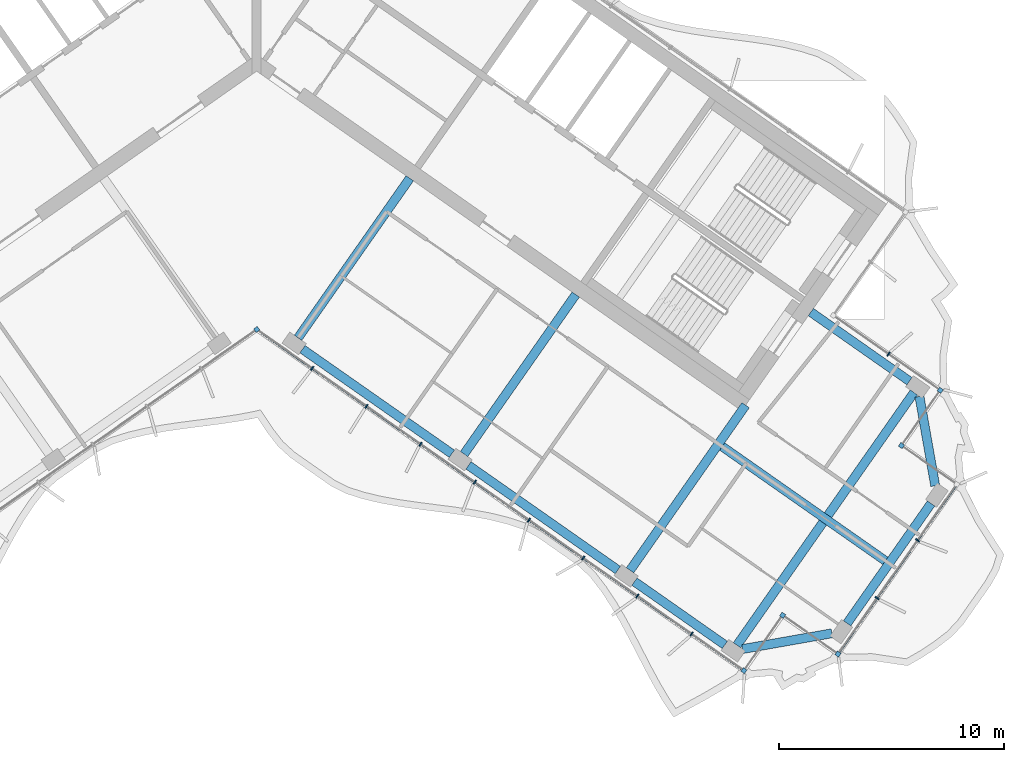
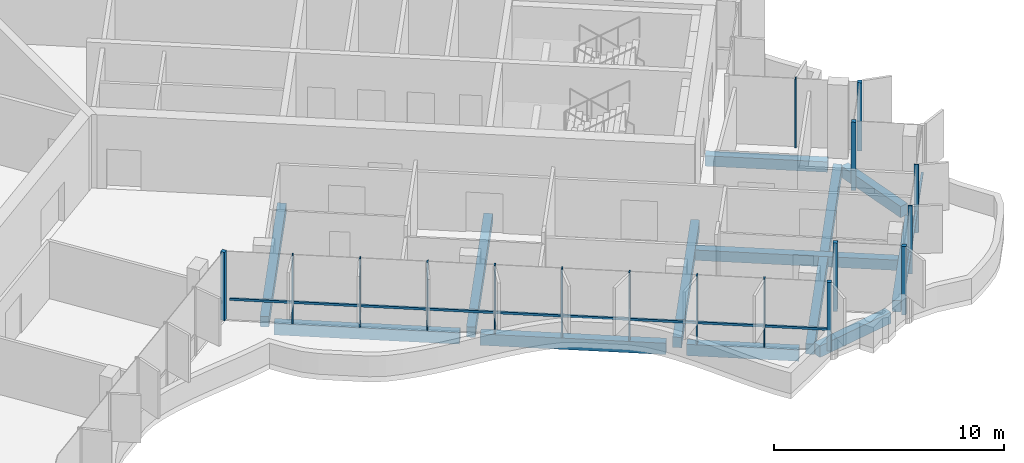
# One storey, part 4 of 18: 19 members, 12 beams, 1 element without a shape of its own.
"""IFC4 building model written with IfcOpenShell, lengths in metres."""

from ifc_helpers import new_model, si_unit, direction, frame, origin, origin_2d, place, context, subcontext, project, spatial, rectangle, extrude, material, material_profile, profile_set, type_object, element, aggregate, save


model = new_model("IFC4")

# Units and contexts
model_context = context("Model", 3, precision=1e-05, world=origin(), true_north=direction((0.0, 1.0)))
body_context = subcontext(model_context, "Body", "Model", "MODEL_VIEW")
ifc_project = project(units=[si_unit("LENGTHUNIT", "METRE"), si_unit("AREAUNIT", "SQUARE_METRE"), si_unit("VOLUMEUNIT", "CUBIC_METRE"), si_unit("PLANEANGLEUNIT", "RADIAN"), si_unit("MASSUNIT", "GRAM", prefix="KILO")], contexts=[model_context])

# Site, building, storey
site_placement = place(None, origin())
site = spatial("IfcSite", under=ifc_project, at=site_placement, CompositionType="ELEMENT")
building_placement = place(site_placement, origin())
building = spatial("IfcBuilding", under=site, at=building_placement, Name="Tel Ilan Convention Tower", CompositionType="ELEMENT")
storey_placement = place(building_placement, frame((0.0, 0.0, 256.60009765625)))
storey = spatial("IfcBuildingStorey", under=building, at=storey_placement, Name="L60", CompositionType="ELEMENT", Elevation=256.60009765625)

# Beams
ifc_material_1 = material(Name="Concrete C40/50", Category="concrete")
ifc_material_profile_1 = material_profile(ifc_material_1, rectangle(XDim=0.39990234375, YDim=0.550048828125, at=origin_2d()), Name="RC 400x550")
ifc_profile_set_1 = profile_set([ifc_material_profile_1], Name="Concrete C40/50")
beam_type_1 = type_object("IfcBeamType", Name="Beam RC 400x550 Concrete C40/50", PredefinedType="BEAM", material=ifc_profile_set_1)
beam_1_placement = place(storey_placement, frame((28.99462890625, -14.991943359375, -0.55517578125), z_axis=(-0.819146154531, 0.573584847705, 0.0), x_axis=(-0.573584847705, -0.819146154531, 0.0)))
element("IfcBeam", 1, at=beam_1_placement, inside=storey, type_object=beam_type_1, Name="L60 beam E-E-BC-core", PredefinedType="BEAM", context=body_context, shape_type="SweptSolid", body=[
    extrude(rectangle(XDim=0.39990234375, YDim=0.550048828125, at=origin_2d()), origin(), (0.0, 0.0, 1.0), 5.349853515625),
])
for number, where, z_axis, x_axis, name in (
    (2, (1.83740234375, -13.06689453125, -0.55517578125), (0.573574099654, 0.819153680457, 0.0), (-0.819153680457, 0.573574099654, 0.0), "L60 beam E-E-F1-core"),
    (3, (9.209716796875, -18.229248046875, -0.55517578125), (0.573574099654, 0.819153680457, 0.0), (-0.819153680457, 0.573574099654, 0.0), "L60 beam E-E-F2-core"),
):
    element("IfcBeam", number, at=place(storey_placement, frame(where, z_axis=z_axis, x_axis=x_axis)), inside=storey, type_object=beam_type_1, Name=name, PredefinedType="BEAM", context=body_context, shape_type="SweptSolid", body=[
        extrude(rectangle(XDim=0.39990234375, YDim=0.550048828125, at=origin_2d()), origin(), (0.0, 0.0, 1.0), 8.64990234375),
    ])
beam_2_placement = place(storey_placement, frame((16.58203125, -23.391357421875, -0.55517578125), z_axis=(0.573584999642, 0.819146048141, 0.0), x_axis=(-0.819146048141, 0.573584999642, 0.0)))
element("IfcBeam", 4, at=beam_2_placement, inside=storey, type_object=beam_type_1, Name="L60 beam E-E-F3-core", PredefinedType="BEAM", context=body_context, shape_type="SweptSolid", body=[
    extrude(rectangle(XDim=0.39990234375, YDim=0.550048828125, at=origin_2d()), origin(), (0.0, 0.0, 1.0), 8.949951171875),
])
beam_3_placement = place(storey_placement, frame((20.6748046875, -17.89501953125, -0.55517578125), z_axis=(0.819162208319, -0.573561920338, 0.0), x_axis=(0.573561920338, 0.819162208319, 0.0)))
element("IfcBeam", 5, at=beam_3_placement, inside=storey, type_object=beam_type_1, Name="L60 beam E-core-end", PredefinedType="BEAM", context=body_context, shape_type="SweptSolid", body=[
    extrude(rectangle(XDim=0.39990234375, YDim=0.550048828125, at=origin_2d()), origin(), (0.0, 0.0, 1.0), 9.0498046875),
])
beam_4_placement = place(storey_placement, frame((21.333251953125, -26.718017578125, -0.55517578125), z_axis=(0.57357117602, 0.819155727587, 0.0), x_axis=(-0.819155727587, 0.57357117602, 0.0)))
element("IfcBeam", 6, at=beam_4_placement, inside=storey, type_object=beam_type_1, Name="L60 beam E-E-FC-E-BC", PredefinedType="BEAM", context=body_context, shape_type="SweptSolid", body=[
    extrude(rectangle(XDim=0.39990234375, YDim=0.550048828125, at=origin_2d()), origin(), (0.0, 0.0, 1.0), 13.699951171875),
])
ifc_material_2 = material(Name="Concrete C40/50", Category="concrete")
ifc_material_profile_2 = material_profile(ifc_material_2, rectangle(XDim=0.39990234375, YDim=0.60009765625, at=origin_2d()), Name="RC 400x600")
ifc_profile_set_2 = profile_set([ifc_material_profile_2], Name="Concrete C40/50")
beam_type_2 = type_object("IfcBeamType", Name="Beam RC 400x600 Concrete C40/50", PredefinedType="BEAM", material=ifc_profile_set_2)
beam_5_placement = place(storey_placement, frame((2.033935546875, -13.57080078125, -0.580078125), z_axis=(0.81914553362, -0.573585734437, 0.0), x_axis=(0.573585734437, 0.81914553362, 0.0)))
element("IfcBeam", 7, at=beam_5_placement, inside=storey, type_object=beam_type_2, Name="L60 beam E-E-F1-E-F2", PredefinedType="BEAM", context=body_context, shape_type="SweptSolid", body=[
    extrude(rectangle(XDim=0.39990234375, YDim=0.60009765625, at=origin_2d()), origin(), (0.0, 0.0, 1.0), 8.099853515625),
])
beam_6_placement = place(storey_placement, frame((9.40625, -18.73291015625, -0.580078125), z_axis=(0.819155449703, -0.573571572885, 0.0), x_axis=(0.573571572885, 0.819155449703, 0.0)))
element("IfcBeam", 8, at=beam_6_placement, inside=storey, type_object=beam_type_2, Name="L60 beam E-E-F2-E-F3", PredefinedType="BEAM", context=body_context, shape_type="SweptSolid", body=[
    extrude(rectangle(XDim=0.39990234375, YDim=0.60009765625, at=origin_2d()), origin(), (0.0, 0.0, 1.0), 8.10009765625),
])
beam_7_placement = place(storey_placement, frame((16.778564453125, -23.895263671875, -0.580078125), z_axis=(0.819154669329, -0.573572687386, 0.0), x_axis=(0.573572687386, 0.819154669329, 0.0)))
element("IfcBeam", 9, at=beam_7_placement, inside=storey, type_object=beam_type_2, Name="L60 beam E-E-F3-E-FC", PredefinedType="BEAM", context=body_context, shape_type="SweptSolid", body=[
    extrude(rectangle(XDim=0.39990234375, YDim=0.60009765625, at=origin_2d()), origin(), (0.0, 0.0, 1.0), 4.900146484375),
])
beam_8_placement = place(storey_placement, frame((21.578857421875, -26.89013671875, -0.580078125), z_axis=(0.984804894423, 0.173664388751, 0.0), x_axis=(-0.173664388751, 0.984804894423, 0.0)))
element("IfcBeam", 10, at=beam_8_placement, inside=storey, type_object=beam_type_2, Name="L60 beam E-E-FC-E-E1", PredefinedType="BEAM", context=body_context, shape_type="SweptSolid", body=[
    extrude(rectangle(XDim=0.39990234375, YDim=0.60009765625, at=origin_2d()), origin(), (0.0, 0.0, 1.0), 4.030517578125),
])
beam_9_placement = place(storey_placement, frame((26.22412109375, -25.748046875, -0.580078125), z_axis=(0.573580816643, 0.819148977158, 0.0), x_axis=(-0.819148977158, 0.573580816643, 0.0)))
element("IfcBeam", 11, at=beam_9_placement, inside=storey, type_object=beam_type_2, Name="L60 beam E-E-E1-E-E2", PredefinedType="BEAM", context=body_context, shape_type="SweptSolid", body=[
    extrude(rectangle(XDim=0.39990234375, YDim=0.60009765625, at=origin_2d()), origin(), (0.0, 0.0, 1.0), 6.5),
])
beam_10_placement = place(storey_placement, frame((30.13671875, -19.63720703125, -0.580078125), z_axis=(-0.173595285393, 0.984817077883, 0.0), x_axis=(-0.984817077883, -0.173595285393, 0.0)))
element("IfcBeam", 12, at=beam_10_placement, inside=storey, type_object=beam_type_2, Name="L60 beam E-E-E2-E-BC", PredefinedType="BEAM", context=body_context, shape_type="SweptSolid", body=[
    extrude(rectangle(XDim=0.39990234375, YDim=0.60009765625, at=origin_2d()), origin(), (0.0, 0.0, 1.0), 4.03076171875),
])

# Curtain wall, members
ifc_material_3 = material(Name="Aluminium, bronze anodised", Category="aluminium")
curtain_wall_type = type_object("IfcCurtainWallType", Name="CW5 STICK CURTAIN WALL, UPPER OFFICE LOW-IRON TINTED GLASS", PredefinedType="NOTDEFINED", material=ifc_material_3)
curtain_wall_placement = place(storey_placement, origin())
curtain_wall = element("IfcCurtainWall", 13, at=curtain_wall_placement, inside=storey, type_object=curtain_wall_type, Name="Curtain wall CW5-46.02", PredefinedType="NOTDEFINED")
ifc_material_4 = material(Name="Aluminium, bronze anodised", Category="aluminium")
ifc_material_profile_3 = material_profile(ifc_material_4, rectangle(XDim=0.199951171875, YDim=0.199951171875, at=origin_2d()), Name="CW CORNER MULLION 200x200")
ifc_profile_set_3 = profile_set([ifc_material_profile_3], Name="Aluminium, bronze anodised")
member_type_1 = type_object("IfcMemberType", Name="CW CORNER MULLION 200x200", PredefinedType="MULLION", material=ifc_profile_set_3)
member_1_placement = place(storey_placement, frame((0.0, -12.696044921875, 0.0), z_axis=(0.0, 0.0, 1.0), x_axis=(0.819152044289, 0.573576436351, 0.0)))
member_1 = element("IfcMember", 14, at=member_1_placement, type_object=member_type_1, Name="Corner mullion", PredefinedType="MULLION", context=body_context, shape_type="SweptSolid", body=[
    extrude(rectangle(XDim=0.199951171875, YDim=0.199951171875, at=origin_2d()), origin(), (0.0, 0.0, 1.0), 3.619873046875),
])
member_2_placement = place(storey_placement, frame((21.64013671875, -27.8486328125, 0.0), z_axis=(0.0, 0.0, 1.0), x_axis=(0.819152044289, -0.573576436351, 0.0)))
member_2 = element("IfcMember", 15, at=member_2_placement, type_object=member_type_1, Name="Corner mullion", PredefinedType="MULLION", context=body_context, shape_type="SweptSolid", body=[
    extrude(rectangle(XDim=0.199951171875, YDim=0.199951171875, at=origin_2d()), origin(), (0.0, 0.0, 1.0), 3.619873046875),
])
member_3_placement = place(storey_placement, frame((23.36083984375, -25.391357421875, 0.0), z_axis=(0.0, 0.0, 1.0), x_axis=(0.573576436351, 0.819152044289, 0.0)))
member_3 = element("IfcMember", 16, at=member_3_placement, type_object=member_type_1, Name="Corner mullion", PredefinedType="MULLION", context=body_context, shape_type="SweptSolid", body=[
    extrude(rectangle(XDim=0.199951171875, YDim=0.199951171875, at=origin_2d()), origin(), (0.0, 0.0, 1.0), 3.619873046875),
])
member_4_placement = place(storey_placement, frame((25.818359375, -27.112060546875, 0.0), z_axis=(0.0, 0.0, 1.0), x_axis=(0.819152044289, -0.573576436351, 0.0)))
member_4 = element("IfcMember", 17, at=member_4_placement, type_object=member_type_1, Name="Corner mullion", PredefinedType="MULLION", context=body_context, shape_type="SweptSolid", body=[
    extrude(rectangle(XDim=0.199951171875, YDim=0.199951171875, at=origin_2d()), origin(), (0.0, 0.0, 1.0), 3.619873046875),
])
member_5_placement = place(storey_placement, frame((28.637939453125, -17.85498046875, 0.0), z_axis=(0.0, 0.0, 1.0), x_axis=(-0.819152044289, 0.573576436351, 0.0)))
member_5 = element("IfcMember", 18, at=member_5_placement, type_object=member_type_1, Name="Corner mullion", PredefinedType="MULLION", context=body_context, shape_type="SweptSolid", body=[
    extrude(rectangle(XDim=0.199951171875, YDim=0.199951171875, at=origin_2d()), origin(), (0.0, 0.0, 1.0), 3.619873046875),
])
member_6_placement = place(storey_placement, frame((30.358642578125, -15.397705078125, 0.0), z_axis=(0.0, 0.0, 1.0), x_axis=(0.573576436351, 0.819152044289, 0.0)))
member_6 = element("IfcMember", 19, at=member_6_placement, type_object=member_type_1, Name="Corner mullion", PredefinedType="MULLION", context=body_context, shape_type="SweptSolid", body=[
    extrude(rectangle(XDim=0.199951171875, YDim=0.199951171875, at=origin_2d()), origin(), (0.0, 0.0, 1.0), 3.619873046875),
])
ifc_material_5 = material(Name="Aluminium, bronze anodised", Category="aluminium")
ifc_material_profile_4 = material_profile(ifc_material_5, rectangle(XDim=0.06005859375, YDim=0.199951171875, at=origin_2d()), Name="CW MULLION 60x200")
ifc_profile_set_4 = profile_set([ifc_material_profile_4], Name="Aluminium, bronze anodised")
member_type_2 = type_object("IfcMemberType", Name="CW MULLION 60x200", PredefinedType="MULLION", material=ifc_profile_set_4)
member_7_placement = place(storey_placement, frame((2.464599609375, -14.421875, 0.0), z_axis=(0.0, 0.0, 1.0), x_axis=(0.819152044289, -0.573576436351, 0.0)))
member_7 = element("IfcMember", 20, at=member_7_placement, type_object=member_type_2, Name="Mullion", PredefinedType="MULLION", context=body_context, shape_type="SweptSolid", body=[
    extrude(rectangle(XDim=0.06005859375, YDim=0.199951171875, at=origin_2d()), origin(), (0.0, 0.0, 1.0), 3.619873046875),
])
member_8_placement = place(storey_placement, frame((4.871826171875, -16.107177734375, 0.0), z_axis=(0.0, 0.0, 1.0), x_axis=(0.819152044289, -0.573576436351, 0.0)))
member_8 = element("IfcMember", 21, at=member_8_placement, type_object=member_type_2, Name="Mullion", PredefinedType="MULLION", context=body_context, shape_type="SweptSolid", body=[
    extrude(rectangle(XDim=0.06005859375, YDim=0.199951171875, at=origin_2d()), origin(), (0.0, 0.0, 1.0), 3.619873046875),
])
member_9_placement = place(storey_placement, frame((7.279052734375, -17.792724609375, 0.0), z_axis=(0.0, 0.0, 1.0), x_axis=(0.819152044289, -0.573576436351, 0.0)))
member_9 = element("IfcMember", 22, at=member_9_placement, type_object=member_type_2, Name="Mullion", PredefinedType="MULLION", context=body_context, shape_type="SweptSolid", body=[
    extrude(rectangle(XDim=0.06005859375, YDim=0.199951171875, at=origin_2d()), origin(), (0.0, 0.0, 1.0), 3.619873046875),
])
member_10_placement = place(storey_placement, frame((9.68603515625, -19.478271484375, 0.0), z_axis=(0.0, 0.0, 1.0), x_axis=(0.819152044289, -0.573576436351, 0.0)))
member_10 = element("IfcMember", 23, at=member_10_placement, type_object=member_type_2, Name="Mullion", PredefinedType="MULLION", context=body_context, shape_type="SweptSolid", body=[
    extrude(rectangle(XDim=0.06005859375, YDim=0.199951171875, at=origin_2d()), origin(), (0.0, 0.0, 1.0), 3.619873046875),
])
member_11_placement = place(storey_placement, frame((12.09326171875, -21.163818359375, 0.0), z_axis=(0.0, 0.0, 1.0), x_axis=(0.819152044289, -0.573576436351, 0.0)))
member_11 = element("IfcMember", 24, at=member_11_placement, type_object=member_type_2, Name="Mullion", PredefinedType="MULLION", context=body_context, shape_type="SweptSolid", body=[
    extrude(rectangle(XDim=0.06005859375, YDim=0.199951171875, at=origin_2d()), origin(), (0.0, 0.0, 1.0), 3.619873046875),
])
member_12_placement = place(storey_placement, frame((14.50048828125, -22.849365234375, 0.0), z_axis=(0.0, 0.0, 1.0), x_axis=(0.819152044289, -0.573576436351, 0.0)))
member_12 = element("IfcMember", 25, at=member_12_placement, type_object=member_type_2, Name="Mullion", PredefinedType="MULLION", context=body_context, shape_type="SweptSolid", body=[
    extrude(rectangle(XDim=0.06005859375, YDim=0.199951171875, at=origin_2d()), origin(), (0.0, 0.0, 1.0), 3.619873046875),
])
member_13_placement = place(storey_placement, frame((16.90771484375, -24.534912109375, 0.0), z_axis=(0.0, 0.0, 1.0), x_axis=(0.819152044289, -0.573576436351, 0.0)))
member_13 = element("IfcMember", 26, at=member_13_placement, type_object=member_type_2, Name="Mullion", PredefinedType="MULLION", context=body_context, shape_type="SweptSolid", body=[
    extrude(rectangle(XDim=0.06005859375, YDim=0.199951171875, at=origin_2d()), origin(), (0.0, 0.0, 1.0), 3.619873046875),
])
member_14_placement = place(storey_placement, frame((19.31494140625, -26.220458984375, 0.0), z_axis=(0.0, 0.0, 1.0), x_axis=(0.819152044289, -0.573576436351, 0.0)))
member_14 = element("IfcMember", 27, at=member_14_placement, type_object=member_type_2, Name="Mullion", PredefinedType="MULLION", context=body_context, shape_type="SweptSolid", body=[
    extrude(rectangle(XDim=0.06005859375, YDim=0.199951171875, at=origin_2d()), origin(), (0.0, 0.0, 1.0), 3.619873046875),
])
member_15_placement = place(storey_placement, frame((27.558349609375, -24.627197265625, 0.0), z_axis=(0.0, 0.0, 1.0), x_axis=(0.573576436351, 0.819152044289, 0.0)))
member_15 = element("IfcMember", 28, at=member_15_placement, type_object=member_type_2, Name="Mullion", PredefinedType="MULLION", context=body_context, shape_type="SweptSolid", body=[
    extrude(rectangle(XDim=0.06005859375, YDim=0.199951171875, at=origin_2d()), origin(), (0.0, 0.0, 1.0), 3.619873046875),
])
member_16_placement = place(storey_placement, frame((29.35546875, -22.060546875, 0.0), z_axis=(0.0, 0.0, 1.0), x_axis=(0.573576436351, 0.819152044289, 0.0)))
member_16 = element("IfcMember", 29, at=member_16_placement, type_object=member_type_2, Name="Mullion", PredefinedType="MULLION", context=body_context, shape_type="SweptSolid", body=[
    extrude(rectangle(XDim=0.06005859375, YDim=0.199951171875, at=origin_2d()), origin(), (0.0, 0.0, 1.0), 3.619873046875),
])
member_17_placement = place(storey_placement, frame((28.06494140625, -13.79150390625, 0.0), z_axis=(0.0, 0.0, 1.0), x_axis=(-0.819152044289, 0.573576436351, 0.0)))
member_17 = element("IfcMember", 30, at=member_17_placement, type_object=member_type_2, Name="Mullion", PredefinedType="MULLION", context=body_context, shape_type="SweptSolid", body=[
    extrude(rectangle(XDim=0.06005859375, YDim=0.199951171875, at=origin_2d()), origin(), (0.0, 0.0, 1.0), 3.619873046875),
])
ifc_material_6 = material(Name="Aluminium, bronze anodised", Category="aluminium")
ifc_material_profile_5 = material_profile(ifc_material_6, rectangle(XDim=0.10009765625, YDim=0.1201171875, at=origin_2d()), Name="CW TRANSOM 100x120")
ifc_profile_set_5 = profile_set([ifc_material_profile_5], Name="Aluminium, bronze anodised")
member_type_3 = type_object("IfcMemberType", Name="CW TRANSOM 100x120", PredefinedType="USERDEFINED", material=ifc_profile_set_5)
member_18_placement = place(storey_placement, frame((0.22119140625, -12.850830078125, 1.099853515625), z_axis=(0.819152212587, -0.573576195996, 0.0), x_axis=(0.573576195996, 0.819152212587, 0.0)))
member_18 = element("IfcMember", 31, at=member_18_placement, type_object=member_type_3, Name="Transom", ObjectType="TRANSOM", PredefinedType="USERDEFINED", context=body_context, shape_type="SweptSolid", body=[
    extrude(rectangle(XDim=0.10009765625, YDim=0.1201171875, at=origin_2d()), origin(), (0.0, 0.0, 1.0), 26.0478515625),
])
member_19_placement = place(storey_placement, frame((25.875732421875, -27.030029296875, 1.099853515625), z_axis=(0.573573395961, 0.819154173185, 0.0), x_axis=(-0.819154173185, 0.573573395961, 0.0)))
member_19 = element("IfcMember", 32, at=member_19_placement, type_object=member_type_3, Name="Transom", ObjectType="TRANSOM", PredefinedType="USERDEFINED", context=body_context, shape_type="SweptSolid", body=[
    extrude(rectangle(XDim=0.10009765625, YDim=0.1201171875, at=origin_2d()), origin(), (0.0, 0.0, 1.0), 9.0),
])
aggregate(curtain_wall, [member_1, member_7, member_8, member_9, member_10, member_11, member_12, member_13, member_14, member_2, member_18, member_3, member_4, member_15, member_16, member_19, member_5, member_6, member_17])

save(model, "model.ifc")
